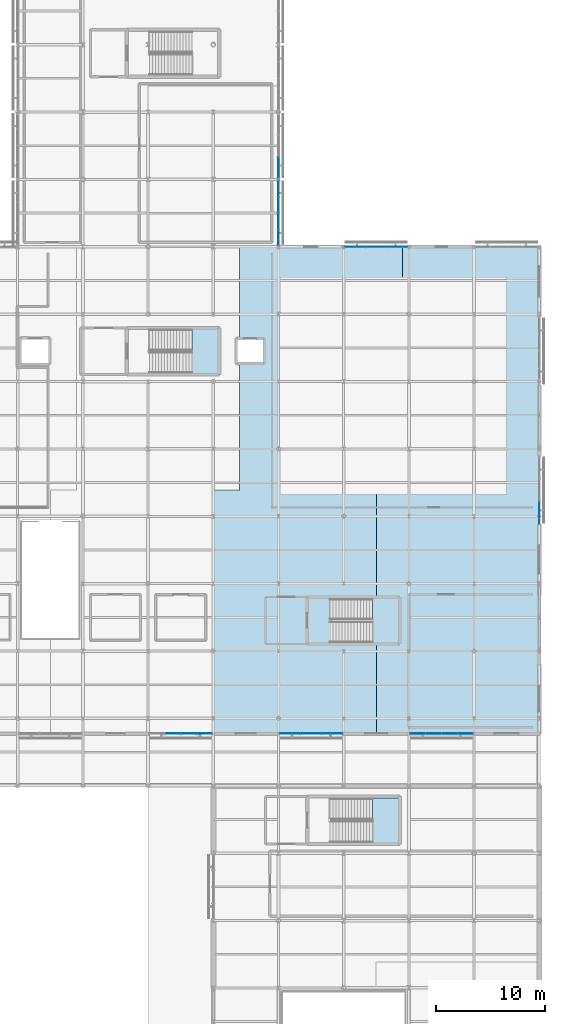
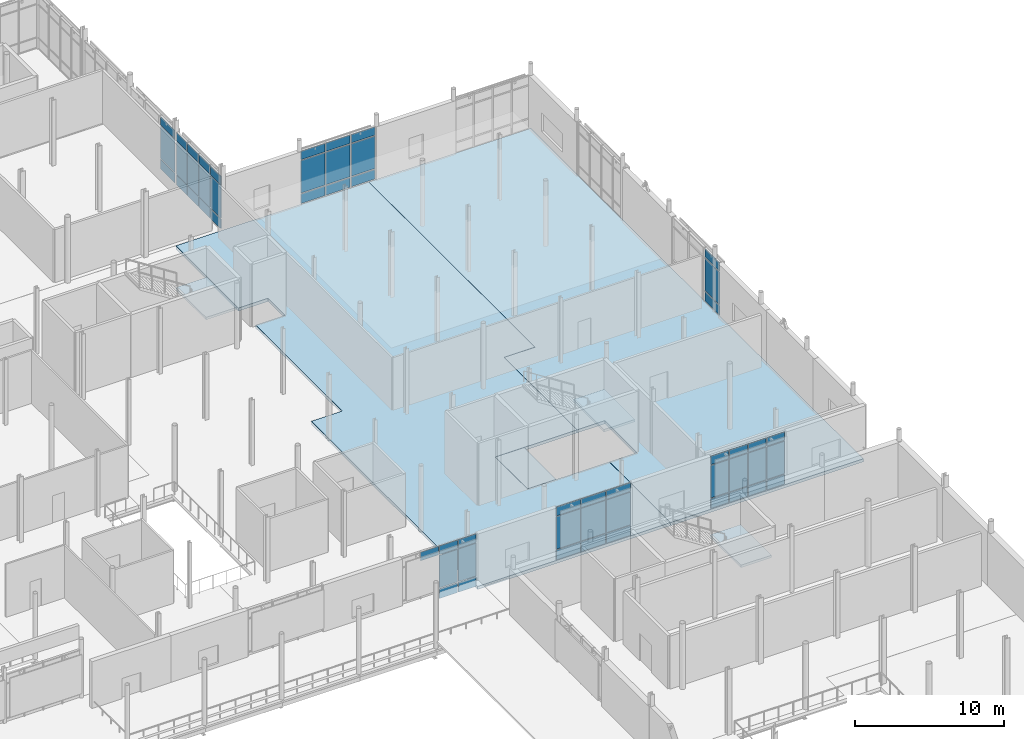
# One storey, part 63 of 105: 55 plates, 6 slabs, 10 elements without a shape of their own.
"""IFC4 building model written with IfcOpenShell, lengths in metres."""

from ifc_helpers import new_model, si_unit, direction, frame, origin, origin_2d, place, context, subcontext, project, spatial, polyline, rectangle, outline, extrude, material, layer, layer_set, type_object, element, aggregate, save


model = new_model("IFC4")

# Units and contexts
model_context = context("Model", 3, precision=1e-05, world=origin(), true_north=direction((0.0, 1.0)))
body_context = subcontext(model_context, "Body", "Model", "MODEL_VIEW")
ifc_project = project(units=[si_unit("LENGTHUNIT", "METRE"), si_unit("AREAUNIT", "SQUARE_METRE"), si_unit("VOLUMEUNIT", "CUBIC_METRE"), si_unit("PLANEANGLEUNIT", "RADIAN"), si_unit("MASSUNIT", "GRAM", prefix="KILO")], contexts=[model_context])

# Site, building, storey
site_placement = place(None, origin())
site = spatial("IfcSite", under=ifc_project, at=site_placement, CompositionType="ELEMENT")
building_placement = place(site_placement, origin())
building = spatial("IfcBuilding", under=site, at=building_placement, Name="Mirzam Square Science Centre", CompositionType="ELEMENT")
storey_placement = place(building_placement, frame((0.0, 0.0, 5.39990234375)))
storey = spatial("IfcBuildingStorey", under=building, at=storey_placement, Name="L01", CompositionType="ELEMENT", Elevation=5.39990234375)

# Curtain wall, plates
ifc_material_1 = material(Name="Anodised Aluminium and Low-E Solar Glass", Category="aluminium")
ifc_layer_1 = layer(ifc_material_1, 0.239990234375)
ifc_layer_set_1 = layer_set([ifc_layer_1], Name="CW-EAST-B")
curtain_wall_type_1 = type_object("IfcCurtainWallType", Name="CW-EAST-B", PredefinedType="USERDEFINED", material=ifc_layer_set_1)
curtain_wall_1_placement = place(storey_placement, origin())
curtain_wall_1 = element("IfcCurtainWall", 1, at=curtain_wall_1_placement, inside=storey, type_object=curtain_wall_type_1, Name="L01 unitised curtain wall 85", ObjectType="UNITISED CURTAIN WALL", PredefinedType="USERDEFINED")
ifc_material_2 = material(Name="Double-Silver Low-E Insulated Solar Glass", Category="glass")
ifc_layer_2 = layer(ifc_material_2, 0.028076171875)
ifc_layer_set_2 = layer_set([ifc_layer_2], Name="CWP-GLZ-28")
plate_type_1 = type_object("IfcPlateType", Name="CWP-GLZ-28", PredefinedType="CURTAIN_PANEL", material=ifc_layer_set_2)
plate_1_placement = place(storey_placement, frame((162.0, 62.322021484375, 0.074951171875), z_axis=(0.0, 0.0, 1.0), x_axis=(0.0, 1.0, 0.0)))
plate_1 = element("IfcPlate", 2, at=plate_1_placement, type_object=plate_type_1, Name="CW-06 panel 1.1", PredefinedType="CURTAIN_PANEL", context=body_context, shape_type="SweptSolid", body=[
    extrude(rectangle(XDim=1.984130859375, YDim=0.028076171875, at=origin_2d()), origin(), (0.0, 0.0, 1.0), 0.78759765625),
])
plate_2_placement = place(storey_placement, frame((162.0, 62.322021484375, 0.9375), z_axis=(0.0, 0.0, 1.0), x_axis=(0.0, 1.0, 0.0)))
plate_2 = element("IfcPlate", 3, at=plate_2_placement, type_object=plate_type_1, Name="CW-06 panel 1.2", PredefinedType="CURTAIN_PANEL", context=body_context, shape_type="SweptSolid", body=[
    extrude(rectangle(XDim=1.984130859375, YDim=0.028076171875, at=origin_2d()), origin(), (0.0, 0.0, 1.0), 2.6650390625),
])
plate_3_placement = place(storey_placement, frame((162.0, 62.322021484375, 3.677490234375), z_axis=(0.0, 0.0, 1.0), x_axis=(0.0, 1.0, 0.0)))
plate_3 = element("IfcPlate", 4, at=plate_3_placement, type_object=plate_type_1, Name="CW-06 panel 1.3", PredefinedType="CURTAIN_PANEL", context=body_context, shape_type="SweptSolid", body=[
    extrude(rectangle(XDim=1.984130859375, YDim=0.028076171875, at=origin_2d()), origin(), (0.0, 0.0, 1.0), 0.6875),
])
aggregate(curtain_wall_1, [plate_1, plate_2, plate_3])

curtain_wall_2_placement = place(storey_placement, origin())
curtain_wall_2 = element("IfcCurtainWall", 5, at=curtain_wall_2_placement, inside=storey, type_object=curtain_wall_type_1, Name="L01 unitised curtain wall 88", ObjectType="UNITISED CURTAIN WALL", PredefinedType="USERDEFINED")
plate_4_placement = place(storey_placement, frame((148.944580078125, 86.800048828125, 0.074951171875), z_axis=(0.0, 0.0, 1.0), x_axis=(-1.0, 0.0, 0.0)))
plate_4 = element("IfcPlate", 6, at=plate_4_placement, type_object=plate_type_1, Name="CW-06 panel 1.1", PredefinedType="CURTAIN_PANEL", context=body_context, shape_type="SweptSolid", body=[
    extrude(rectangle(XDim=1.850830078125, YDim=0.028076171875, at=origin_2d()), origin(), (0.0, 0.0, 1.0), 0.78759765625),
])
plate_5_placement = place(storey_placement, frame((148.944580078125, 86.800048828125, 0.9375), z_axis=(0.0, 0.0, 1.0), x_axis=(-1.0, 0.0, 0.0)))
plate_5 = element("IfcPlate", 7, at=plate_5_placement, type_object=plate_type_1, Name="CW-06 panel 1.2", PredefinedType="CURTAIN_PANEL", context=body_context, shape_type="SweptSolid", body=[
    extrude(rectangle(XDim=1.850830078125, YDim=0.028076171875, at=origin_2d()), origin(), (0.0, 0.0, 1.0), 2.6650390625),
])
plate_6_placement = place(storey_placement, frame((148.944580078125, 86.800048828125, 3.677490234375), z_axis=(0.0, 0.0, 1.0), x_axis=(-1.0, 0.0, 0.0)))
plate_6 = element("IfcPlate", 8, at=plate_6_placement, type_object=plate_type_1, Name="CW-06 panel 1.3", PredefinedType="CURTAIN_PANEL", context=body_context, shape_type="SweptSolid", body=[
    extrude(rectangle(XDim=1.850830078125, YDim=0.028076171875, at=origin_2d()), origin(), (0.0, 0.0, 1.0), 0.6875),
])
plate_7_placement = place(storey_placement, frame((147.0, 86.800048828125, 0.074951171875), z_axis=(0.0, 0.0, 1.0), x_axis=(-1.0, 0.0, 0.0)))
plate_7 = element("IfcPlate", 9, at=plate_7_placement, type_object=plate_type_1, Name="CW-06 panel 2.1", PredefinedType="CURTAIN_PANEL", context=body_context, shape_type="SweptSolid", body=[
    extrude(rectangle(XDim=1.888427734375, YDim=0.028076171875, at=origin_2d()), origin(), (0.0, 0.0, 1.0), 0.78759765625),
])
plate_8_placement = place(storey_placement, frame((147.0, 86.800048828125, 0.9375), z_axis=(0.0, 0.0, 1.0), x_axis=(-1.0, 0.0, 0.0)))
plate_8 = element("IfcPlate", 10, at=plate_8_placement, type_object=plate_type_1, Name="CW-06 panel 2.2", PredefinedType="CURTAIN_PANEL", context=body_context, shape_type="SweptSolid", body=[
    extrude(rectangle(XDim=1.888427734375, YDim=0.028076171875, at=origin_2d()), origin(), (0.0, 0.0, 1.0), 2.6650390625),
])
plate_9_placement = place(storey_placement, frame((147.0, 86.800048828125, 3.677490234375), z_axis=(0.0, 0.0, 1.0), x_axis=(-1.0, 0.0, 0.0)))
plate_9 = element("IfcPlate", 11, at=plate_9_placement, type_object=plate_type_1, Name="CW-06 panel 2.3", PredefinedType="CURTAIN_PANEL", context=body_context, shape_type="SweptSolid", body=[
    extrude(rectangle(XDim=1.888427734375, YDim=0.028076171875, at=origin_2d()), origin(), (0.0, 0.0, 1.0), 0.6875),
])
plate_10_placement = place(storey_placement, frame((145.055419921875, 86.800048828125, 0.074951171875), z_axis=(0.0, 0.0, 1.0), x_axis=(-1.0, 0.0, 0.0)))
plate_10 = element("IfcPlate", 12, at=plate_10_placement, type_object=plate_type_1, Name="CW-06 panel 3.1", PredefinedType="CURTAIN_PANEL", context=body_context, shape_type="SweptSolid", body=[
    extrude(rectangle(XDim=1.850830078125, YDim=0.028076171875, at=origin_2d()), origin(), (0.0, 0.0, 1.0), 0.78759765625),
])
plate_11_placement = place(storey_placement, frame((145.055419921875, 86.800048828125, 0.9375), z_axis=(0.0, 0.0, 1.0), x_axis=(-1.0, 0.0, 0.0)))
plate_11 = element("IfcPlate", 13, at=plate_11_placement, type_object=plate_type_1, Name="CW-06 panel 3.2", PredefinedType="CURTAIN_PANEL", context=body_context, shape_type="SweptSolid", body=[
    extrude(rectangle(XDim=1.850830078125, YDim=0.028076171875, at=origin_2d()), origin(), (0.0, 0.0, 1.0), 2.6650390625),
])
plate_12_placement = place(storey_placement, frame((145.055419921875, 86.800048828125, 3.677490234375), z_axis=(0.0, 0.0, 1.0), x_axis=(-1.0, 0.0, 0.0)))
plate_12 = element("IfcPlate", 14, at=plate_12_placement, type_object=plate_type_1, Name="CW-06 panel 3.3", PredefinedType="CURTAIN_PANEL", context=body_context, shape_type="SweptSolid", body=[
    extrude(rectangle(XDim=1.850830078125, YDim=0.028076171875, at=origin_2d()), origin(), (0.0, 0.0, 1.0), 0.6875),
])
aggregate(curtain_wall_2, [plate_4, plate_5, plate_6, plate_7, plate_8, plate_9, plate_10, plate_11, plate_12])

curtain_wall_3_placement = place(storey_placement, origin())
curtain_wall_3 = element("IfcCurtainWall", 15, at=curtain_wall_3_placement, inside=storey, type_object=curtain_wall_type_1, Name="L01 unitised curtain wall 95", ObjectType="UNITISED CURTAIN WALL", PredefinedType="USERDEFINED")
plate_13_placement = place(storey_placement, frame((138.0, 94.0888671875, 0.074951171875), z_axis=(0.0, 0.0, 1.0), x_axis=(0.0, 1.0, 0.0)))
plate_13 = element("IfcPlate", 16, at=plate_13_placement, type_object=plate_type_1, Name="CW-06 panel 1.1", PredefinedType="CURTAIN_PANEL", context=body_context, shape_type="SweptSolid", body=[
    extrude(rectangle(XDim=1.91748046875, YDim=0.028076171875, at=origin_2d()), origin(), (0.0, 0.0, 1.0), 0.78759765625),
])
plate_14_placement = place(storey_placement, frame((138.0, 94.0888671875, 0.9375), z_axis=(0.0, 0.0, 1.0), x_axis=(0.0, 1.0, 0.0)))
plate_14 = element("IfcPlate", 17, at=plate_14_placement, type_object=plate_type_1, Name="CW-06 panel 1.2", PredefinedType="CURTAIN_PANEL", context=body_context, shape_type="SweptSolid", body=[
    extrude(rectangle(XDim=1.91748046875, YDim=0.028076171875, at=origin_2d()), origin(), (0.0, 0.0, 1.0), 2.6650390625),
])
plate_15_placement = place(storey_placement, frame((138.0, 94.0888671875, 3.677490234375), z_axis=(0.0, 0.0, 1.0), x_axis=(0.0, 1.0, 0.0)))
plate_15 = element("IfcPlate", 18, at=plate_15_placement, type_object=plate_type_1, Name="CW-06 panel 1.3", PredefinedType="CURTAIN_PANEL", context=body_context, shape_type="SweptSolid", body=[
    extrude(rectangle(XDim=1.91748046875, YDim=0.028076171875, at=origin_2d()), origin(), (0.0, 0.0, 1.0), 0.6875),
])
aggregate(curtain_wall_3, [plate_13, plate_14, plate_15])

ifc_layer_3 = layer(ifc_material_1, 0.159912109375)
ifc_layer_set_3 = layer_set([ifc_layer_3], Name="CW-COURT-B")
curtain_wall_type_2 = type_object("IfcCurtainWallType", Name="CW-COURT-B", PredefinedType="USERDEFINED", material=ifc_layer_set_3)
curtain_wall_4_placement = place(storey_placement, origin())
curtain_wall_4 = element("IfcCurtainWall", 19, at=curtain_wall_4_placement, inside=storey, type_object=curtain_wall_type_2, Name="L01 unitised curtain wall 84", ObjectType="UNITISED CURTAIN WALL", PredefinedType="USERDEFINED")
ifc_material_3 = material(Name="Triple-Glazed Acoustic Low-E Solar Glass", Category="glass")
ifc_layer_4 = layer(ifc_material_3, 0.031982421875)
ifc_layer_set_4 = layer_set([ifc_layer_4], Name="CWP-GLZ-32")
plate_type_2 = type_object("IfcPlateType", Name="CWP-GLZ-32", PredefinedType="CURTAIN_PANEL", material=ifc_layer_set_4)
plate_16_placement = place(storey_placement, frame((150.81005859375, 42.0, 0.074951171875), z_axis=(0.0, 0.0, 1.0), x_axis=(1.0, 0.0, 0.0)))
plate_16 = element("IfcPlate", 20, at=plate_16_placement, type_object=plate_type_2, Name="CW-04 panel 1.1", PredefinedType="CURTAIN_PANEL", context=body_context, shape_type="SweptSolid", body=[
    extrude(rectangle(XDim=1.360107421875, YDim=0.031982421875, at=origin_2d()), origin(), (0.0, 0.0, 1.0), 0.78759765625),
])
plate_17_placement = place(storey_placement, frame((150.81005859375, 42.0, 0.9375), z_axis=(0.0, 0.0, 1.0), x_axis=(1.0, 0.0, 0.0)))
plate_17 = element("IfcPlate", 21, at=plate_17_placement, type_object=plate_type_2, Name="CW-04 panel 1.2", PredefinedType="CURTAIN_PANEL", context=body_context, shape_type="SweptSolid", body=[
    extrude(rectangle(XDim=1.360107421875, YDim=0.031982421875, at=origin_2d()), origin(), (0.0, 0.0, 1.0), 2.6650390625),
])
plate_18_placement = place(storey_placement, frame((150.81005859375, 42.0, 3.677490234375), z_axis=(0.0, 0.0, 1.0), x_axis=(1.0, 0.0, 0.0)))
plate_18 = element("IfcPlate", 22, at=plate_18_placement, type_object=plate_type_2, Name="CW-04 panel 1.3", PredefinedType="CURTAIN_PANEL", context=body_context, shape_type="SweptSolid", body=[
    extrude(rectangle(XDim=1.360107421875, YDim=0.031982421875, at=origin_2d()), origin(), (0.0, 0.0, 1.0), 0.6875),
])
plate_19_placement = place(storey_placement, frame((152.263671875, 42.0, 0.074951171875), z_axis=(0.0, 0.0, 1.0), x_axis=(1.0, 0.0, 0.0)))
plate_19 = element("IfcPlate", 23, at=plate_19_placement, type_object=plate_type_2, Name="CW-04 panel 2.1", PredefinedType="CURTAIN_PANEL", context=body_context, shape_type="SweptSolid", body=[
    extrude(rectangle(XDim=1.3974609375, YDim=0.031982421875, at=origin_2d()), origin(), (0.0, 0.0, 1.0), 0.78759765625),
])
plate_20_placement = place(storey_placement, frame((152.263671875, 42.0, 0.9375), z_axis=(0.0, 0.0, 1.0), x_axis=(1.0, 0.0, 0.0)))
plate_20 = element("IfcPlate", 24, at=plate_20_placement, type_object=plate_type_2, Name="CW-04 panel 2.2", PredefinedType="CURTAIN_PANEL", context=body_context, shape_type="SweptSolid", body=[
    extrude(rectangle(XDim=1.3974609375, YDim=0.031982421875, at=origin_2d()), origin(), (0.0, 0.0, 1.0), 2.6650390625),
])
plate_21_placement = place(storey_placement, frame((152.263671875, 42.0, 3.677490234375), z_axis=(0.0, 0.0, 1.0), x_axis=(1.0, 0.0, 0.0)))
plate_21 = element("IfcPlate", 25, at=plate_21_placement, type_object=plate_type_2, Name="CW-04 panel 2.3", PredefinedType="CURTAIN_PANEL", context=body_context, shape_type="SweptSolid", body=[
    extrude(rectangle(XDim=1.3974609375, YDim=0.031982421875, at=origin_2d()), origin(), (0.0, 0.0, 1.0), 0.6875),
])
plate_22_placement = place(storey_placement, frame((153.736328125, 42.0, 0.074951171875), z_axis=(0.0, 0.0, 1.0), x_axis=(1.0, 0.0, 0.0)))
plate_22 = element("IfcPlate", 26, at=plate_22_placement, type_object=plate_type_2, Name="CW-04 panel 3.1", PredefinedType="CURTAIN_PANEL", context=body_context, shape_type="SweptSolid", body=[
    extrude(rectangle(XDim=1.3974609375, YDim=0.031982421875, at=origin_2d()), origin(), (0.0, 0.0, 1.0), 0.78759765625),
])
plate_23_placement = place(storey_placement, frame((153.736328125, 42.0, 0.9375), z_axis=(0.0, 0.0, 1.0), x_axis=(1.0, 0.0, 0.0)))
plate_23 = element("IfcPlate", 27, at=plate_23_placement, type_object=plate_type_2, Name="CW-04 panel 3.2", PredefinedType="CURTAIN_PANEL", context=body_context, shape_type="SweptSolid", body=[
    extrude(rectangle(XDim=1.3974609375, YDim=0.031982421875, at=origin_2d()), origin(), (0.0, 0.0, 1.0), 2.6650390625),
])
plate_24_placement = place(storey_placement, frame((153.736328125, 42.0, 3.677490234375), z_axis=(0.0, 0.0, 1.0), x_axis=(1.0, 0.0, 0.0)))
plate_24 = element("IfcPlate", 28, at=plate_24_placement, type_object=plate_type_2, Name="CW-04 panel 3.3", PredefinedType="CURTAIN_PANEL", context=body_context, shape_type="SweptSolid", body=[
    extrude(rectangle(XDim=1.3974609375, YDim=0.031982421875, at=origin_2d()), origin(), (0.0, 0.0, 1.0), 0.6875),
])
plate_25_placement = place(storey_placement, frame((155.18994140625, 42.0, 0.074951171875), z_axis=(0.0, 0.0, 1.0), x_axis=(1.0, 0.0, 0.0)))
plate_25 = element("IfcPlate", 29, at=plate_25_placement, type_object=plate_type_2, Name="CW-04 panel 4.1", PredefinedType="CURTAIN_PANEL", context=body_context, shape_type="SweptSolid", body=[
    extrude(rectangle(XDim=1.360107421875, YDim=0.031982421875, at=origin_2d()), origin(), (0.0, 0.0, 1.0), 0.78759765625),
])
plate_26_placement = place(storey_placement, frame((155.18994140625, 42.0, 0.9375), z_axis=(0.0, 0.0, 1.0), x_axis=(1.0, 0.0, 0.0)))
plate_26 = element("IfcPlate", 30, at=plate_26_placement, type_object=plate_type_2, Name="CW-04 panel 4.2", PredefinedType="CURTAIN_PANEL", context=body_context, shape_type="SweptSolid", body=[
    extrude(rectangle(XDim=1.360107421875, YDim=0.031982421875, at=origin_2d()), origin(), (0.0, 0.0, 1.0), 2.6650390625),
])
plate_27_placement = place(storey_placement, frame((155.18994140625, 42.0, 3.677490234375), z_axis=(0.0, 0.0, 1.0), x_axis=(1.0, 0.0, 0.0)))
plate_27 = element("IfcPlate", 31, at=plate_27_placement, type_object=plate_type_2, Name="CW-04 panel 4.3", PredefinedType="CURTAIN_PANEL", context=body_context, shape_type="SweptSolid", body=[
    extrude(rectangle(XDim=1.360107421875, YDim=0.031982421875, at=origin_2d()), origin(), (0.0, 0.0, 1.0), 0.6875),
])
aggregate(curtain_wall_4, [plate_16, plate_17, plate_18, plate_19, plate_20, plate_21, plate_22, plate_23, plate_24, plate_25, plate_26, plate_27])

ifc_layer_5 = layer(ifc_material_1, 0.179931640625)
ifc_layer_set_5 = layer_set([ifc_layer_5], Name="CW-LINK-A")
curtain_wall_type_3 = type_object("IfcCurtainWallType", Name="CW-LINK-A", PredefinedType="USERDEFINED", material=ifc_layer_set_5)
curtain_wall_5_placement = place(storey_placement, origin())
curtain_wall_5 = element("IfcCurtainWall", 32, at=curtain_wall_5_placement, inside=storey, type_object=curtain_wall_type_3, Name="L01 unitised curtain wall 82", ObjectType="UNITISED CURTAIN WALL", PredefinedType="USERDEFINED")
ifc_material_4 = material(Name="Laminated Low-Iron Observatory Solar Glass", Category="glass")
ifc_layer_6 = layer(ifc_material_4, 0.035888671875)
ifc_layer_set_6 = layer_set([ifc_layer_6], Name="CWP-GLZ-36")
plate_type_3 = type_object("IfcPlateType", Name="CWP-GLZ-36", PredefinedType="CURTAIN_PANEL", material=ifc_layer_set_6)
plate_28_placement = place(storey_placement, frame((128.263671875, 42.0, 3.6728515625), z_axis=(0.0, 0.0, 1.0), x_axis=(1.0, 0.0, 0.0)))
plate_28 = element("IfcPlate", 33, at=plate_28_placement, type_object=plate_type_3, Name="CW-08 panel 2.3", PredefinedType="CURTAIN_PANEL", context=body_context, shape_type="SweptSolid", body=[
    extrude(rectangle(XDim=1.407470703125, YDim=0.035888671875, at=origin_2d()), origin(), (0.0, 0.0, 1.0), 0.702392578125),
])
plate_29_placement = place(storey_placement, frame((129.736328125, 42.0, 0.06494140625), z_axis=(0.0, 0.0, 1.0), x_axis=(1.0, 0.0, 0.0)))
plate_29 = element("IfcPlate", 34, at=plate_29_placement, type_object=plate_type_3, Name="CW-08 panel 3.1", PredefinedType="CURTAIN_PANEL", context=body_context, shape_type="SweptSolid", body=[
    extrude(rectangle(XDim=1.407470703125, YDim=0.035888671875, at=origin_2d()), origin(), (0.0, 0.0, 1.0), 0.802490234375),
])
plate_30_placement = place(storey_placement, frame((129.736328125, 42.0, 0.9326171875), z_axis=(0.0, 0.0, 1.0), x_axis=(1.0, 0.0, 0.0)))
plate_30 = element("IfcPlate", 35, at=plate_30_placement, type_object=plate_type_3, Name="CW-08 panel 3.2", PredefinedType="CURTAIN_PANEL", context=body_context, shape_type="SweptSolid", body=[
    extrude(rectangle(XDim=1.407470703125, YDim=0.035888671875, at=origin_2d()), origin(), (0.0, 0.0, 1.0), 2.675048828125),
])
plate_31_placement = place(storey_placement, frame((129.736328125, 42.0, 3.6728515625), z_axis=(0.0, 0.0, 1.0), x_axis=(1.0, 0.0, 0.0)))
plate_31 = element("IfcPlate", 36, at=plate_31_placement, type_object=plate_type_3, Name="CW-08 panel 3.3", PredefinedType="CURTAIN_PANEL", context=body_context, shape_type="SweptSolid", body=[
    extrude(rectangle(XDim=1.407470703125, YDim=0.035888671875, at=origin_2d()), origin(), (0.0, 0.0, 1.0), 0.702392578125),
])
plate_32_placement = place(storey_placement, frame((131.1923828125, 42.0, 0.06494140625), z_axis=(0.0, 0.0, 1.0), x_axis=(1.0, 0.0, 0.0)))
plate_32 = element("IfcPlate", 37, at=plate_32_placement, type_object=plate_type_3, Name="CW-08 panel 4.1", PredefinedType="CURTAIN_PANEL", context=body_context, shape_type="SweptSolid", body=[
    extrude(rectangle(XDim=1.375, YDim=0.035888671875, at=origin_2d()), origin(), (0.0, 0.0, 1.0), 0.802490234375),
])
plate_33_placement = place(storey_placement, frame((131.1923828125, 42.0, 0.9326171875), z_axis=(0.0, 0.0, 1.0), x_axis=(1.0, 0.0, 0.0)))
plate_33 = element("IfcPlate", 38, at=plate_33_placement, type_object=plate_type_3, Name="CW-08 panel 4.2", PredefinedType="CURTAIN_PANEL", context=body_context, shape_type="SweptSolid", body=[
    extrude(rectangle(XDim=1.375, YDim=0.035888671875, at=origin_2d()), origin(), (0.0, 0.0, 1.0), 2.675048828125),
])
plate_34_placement = place(storey_placement, frame((131.1923828125, 42.0, 3.6728515625), z_axis=(0.0, 0.0, 1.0), x_axis=(1.0, 0.0, 0.0)))
plate_34 = element("IfcPlate", 39, at=plate_34_placement, type_object=plate_type_3, Name="CW-08 panel 4.3", PredefinedType="CURTAIN_PANEL", context=body_context, shape_type="SweptSolid", body=[
    extrude(rectangle(XDim=1.375, YDim=0.035888671875, at=origin_2d()), origin(), (0.0, 0.0, 1.0), 0.702392578125),
])
aggregate(curtain_wall_5, [plate_28, plate_29, plate_30, plate_31, plate_32, plate_33, plate_34])

ifc_layer_7 = layer(ifc_material_1, 0.199951171875)
ifc_layer_set_7 = layer_set([ifc_layer_7], Name="CW-PARK-B")
curtain_wall_type_4 = type_object("IfcCurtainWallType", Name="CW-PARK-B", PredefinedType="USERDEFINED", material=ifc_layer_set_7)
curtain_wall_6_placement = place(storey_placement, origin())
curtain_wall_6 = element("IfcCurtainWall", 40, at=curtain_wall_6_placement, inside=storey, type_object=curtain_wall_type_4, Name="L01 unitised curtain wall 83", ObjectType="UNITISED CURTAIN WALL", PredefinedType="USERDEFINED")
ifc_material_5 = material(Name="Acoustic Laminated Solar Spandrel Glass", Category="glass")
ifc_layer_8 = layer(ifc_material_5, 0.0400390625)
ifc_layer_set_8 = layer_set([ifc_layer_8], Name="CWP-GLZ-40")
plate_type_4 = type_object("IfcPlateType", Name="CWP-GLZ-40", PredefinedType="CURTAIN_PANEL", material=ifc_layer_set_8)
plate_35_placement = place(storey_placement, frame((139.0517578125, 42.0, 0.06005859375), z_axis=(0.0, 0.0, 1.0), x_axis=(1.0, 0.0, 0.0)))
plate_35 = element("IfcPlate", 41, at=plate_35_placement, type_object=plate_type_4, Name="CW-02 panel 1.1", PredefinedType="CURTAIN_PANEL", context=body_context, shape_type="SweptSolid", body=[
    extrude(rectangle(XDim=1.873291015625, YDim=0.0400390625, at=origin_2d()), origin(), (0.0, 0.0, 1.0), 0.81005859375),
])
plate_36_placement = place(storey_placement, frame((139.0517578125, 42.0, 0.93017578125), z_axis=(0.0, 0.0, 1.0), x_axis=(1.0, 0.0, 0.0)))
plate_36 = element("IfcPlate", 42, at=plate_36_placement, type_object=plate_type_4, Name="CW-02 panel 1.2", PredefinedType="CURTAIN_PANEL", context=body_context, shape_type="SweptSolid", body=[
    extrude(rectangle(XDim=1.873291015625, YDim=0.0400390625, at=origin_2d()), origin(), (0.0, 0.0, 1.0), 2.679931640625),
])
plate_37_placement = place(storey_placement, frame((139.0517578125, 42.0, 3.670166015625), z_axis=(0.0, 0.0, 1.0), x_axis=(1.0, 0.0, 0.0)))
plate_37 = element("IfcPlate", 43, at=plate_37_placement, type_object=plate_type_4, Name="CW-02 panel 1.3", PredefinedType="CURTAIN_PANEL", context=body_context, shape_type="SweptSolid", body=[
    extrude(rectangle(XDim=1.873291015625, YDim=0.0400390625, at=origin_2d()), origin(), (0.0, 0.0, 1.0), 0.7099609375),
])
plate_38_placement = place(storey_placement, frame((141.0, 42.0, 0.06005859375), z_axis=(0.0, 0.0, 1.0), x_axis=(1.0, 0.0, 0.0)))
plate_38 = element("IfcPlate", 44, at=plate_38_placement, type_object=plate_type_4, Name="CW-02 panel 2.1", PredefinedType="CURTAIN_PANEL", context=body_context, shape_type="SweptSolid", body=[
    extrude(rectangle(XDim=1.9033203125, YDim=0.0400390625, at=origin_2d()), origin(), (0.0, 0.0, 1.0), 0.81005859375),
])
plate_39_placement = place(storey_placement, frame((141.0, 42.0, 0.93017578125), z_axis=(0.0, 0.0, 1.0), x_axis=(1.0, 0.0, 0.0)))
plate_39 = element("IfcPlate", 45, at=plate_39_placement, type_object=plate_type_4, Name="CW-02 panel 2.2", PredefinedType="CURTAIN_PANEL", context=body_context, shape_type="SweptSolid", body=[
    extrude(rectangle(XDim=1.9033203125, YDim=0.0400390625, at=origin_2d()), origin(), (0.0, 0.0, 1.0), 2.679931640625),
])
plate_40_placement = place(storey_placement, frame((141.0, 42.0, 3.670166015625), z_axis=(0.0, 0.0, 1.0), x_axis=(1.0, 0.0, 0.0)))
plate_40 = element("IfcPlate", 46, at=plate_40_placement, type_object=plate_type_4, Name="CW-02 panel 2.3", PredefinedType="CURTAIN_PANEL", context=body_context, shape_type="SweptSolid", body=[
    extrude(rectangle(XDim=1.9033203125, YDim=0.0400390625, at=origin_2d()), origin(), (0.0, 0.0, 1.0), 0.7099609375),
])
plate_41_placement = place(storey_placement, frame((142.9482421875, 42.0, 0.06005859375), z_axis=(0.0, 0.0, 1.0), x_axis=(1.0, 0.0, 0.0)))
plate_41 = element("IfcPlate", 47, at=plate_41_placement, type_object=plate_type_4, Name="CW-02 panel 3.1", PredefinedType="CURTAIN_PANEL", context=body_context, shape_type="SweptSolid", body=[
    extrude(rectangle(XDim=1.873291015625, YDim=0.0400390625, at=origin_2d()), origin(), (0.0, 0.0, 1.0), 0.81005859375),
])
plate_42_placement = place(storey_placement, frame((142.9482421875, 42.0, 0.93017578125), z_axis=(0.0, 0.0, 1.0), x_axis=(1.0, 0.0, 0.0)))
plate_42 = element("IfcPlate", 48, at=plate_42_placement, type_object=plate_type_4, Name="CW-02 panel 3.2", PredefinedType="CURTAIN_PANEL", context=body_context, shape_type="SweptSolid", body=[
    extrude(rectangle(XDim=1.873291015625, YDim=0.0400390625, at=origin_2d()), origin(), (0.0, 0.0, 1.0), 2.679931640625),
])
plate_43_placement = place(storey_placement, frame((142.9482421875, 42.0, 3.670166015625), z_axis=(0.0, 0.0, 1.0), x_axis=(1.0, 0.0, 0.0)))
plate_43 = element("IfcPlate", 49, at=plate_43_placement, type_object=plate_type_4, Name="CW-02 panel 3.3", PredefinedType="CURTAIN_PANEL", context=body_context, shape_type="SweptSolid", body=[
    extrude(rectangle(XDim=1.873291015625, YDim=0.0400390625, at=origin_2d()), origin(), (0.0, 0.0, 1.0), 0.7099609375),
])
aggregate(curtain_wall_6, [plate_35, plate_36, plate_37, plate_38, plate_39, plate_40, plate_41, plate_42, plate_43])

ifc_layer_9 = layer(ifc_material_1, 0.199951171875)
ifc_layer_set_9 = layer_set([ifc_layer_9], Name="CW-EAST-A")
curtain_wall_type_5 = type_object("IfcCurtainWallType", Name="CW-EAST-A", PredefinedType="USERDEFINED", material=ifc_layer_set_9)
curtain_wall_7_placement = place(storey_placement, origin())
curtain_wall_7 = element("IfcCurtainWall", 50, at=curtain_wall_7_placement, inside=storey, type_object=curtain_wall_type_5, Name="L01 unitised curtain wall 93", ObjectType="UNITISED CURTAIN WALL", PredefinedType="USERDEFINED")
plate_44_placement = place(storey_placement, frame((138.0, 87.632568359375, 0.06494140625), z_axis=(0.0, 0.0, 1.0), x_axis=(0.0, 1.0, 0.0)))
plate_44 = element("IfcPlate", 51, at=plate_44_placement, type_object=plate_type_4, Name="CW-05 panel 1.1", PredefinedType="CURTAIN_PANEL", context=body_context, shape_type="SweptSolid", body=[
    extrude(rectangle(XDim=1.425048828125, YDim=0.0400390625, at=origin_2d()), origin(), (0.0, 0.0, 1.0), 0.802490234375),
])
plate_45_placement = place(storey_placement, frame((138.0, 87.632568359375, 0.9326171875), z_axis=(0.0, 0.0, 1.0), x_axis=(0.0, 1.0, 0.0)))
plate_45 = element("IfcPlate", 52, at=plate_45_placement, type_object=plate_type_4, Name="CW-05 panel 1.2", PredefinedType="CURTAIN_PANEL", context=body_context, shape_type="SweptSolid", body=[
    extrude(rectangle(XDim=1.425048828125, YDim=0.0400390625, at=origin_2d()), origin(), (0.0, 0.0, 1.0), 2.675048828125),
])
plate_46_placement = place(storey_placement, frame((138.0, 87.632568359375, 3.6728515625), z_axis=(0.0, 0.0, 1.0), x_axis=(0.0, 1.0, 0.0)))
plate_46 = element("IfcPlate", 53, at=plate_46_placement, type_object=plate_type_4, Name="CW-05 panel 1.3", PredefinedType="CURTAIN_PANEL", context=body_context, shape_type="SweptSolid", body=[
    extrude(rectangle(XDim=1.425048828125, YDim=0.0400390625, at=origin_2d()), origin(), (0.0, 0.0, 1.0), 0.702392578125),
])
plate_47_placement = place(storey_placement, frame((138.0, 89.138671875, 0.06494140625), z_axis=(0.0, 0.0, 1.0), x_axis=(0.0, 1.0, 0.0)))
plate_47 = element("IfcPlate", 54, at=plate_47_placement, type_object=plate_type_4, Name="CW-05 panel 2.1", PredefinedType="CURTAIN_PANEL", context=body_context, shape_type="SweptSolid", body=[
    extrude(rectangle(XDim=1.45751953125, YDim=0.0400390625, at=origin_2d()), origin(), (0.0, 0.0, 1.0), 0.802490234375),
])
plate_48_placement = place(storey_placement, frame((138.0, 89.138671875, 0.9326171875), z_axis=(0.0, 0.0, 1.0), x_axis=(0.0, 1.0, 0.0)))
plate_48 = element("IfcPlate", 55, at=plate_48_placement, type_object=plate_type_4, Name="CW-05 panel 2.2", PredefinedType="CURTAIN_PANEL", context=body_context, shape_type="SweptSolid", body=[
    extrude(rectangle(XDim=1.45751953125, YDim=0.0400390625, at=origin_2d()), origin(), (0.0, 0.0, 1.0), 2.675048828125),
])
plate_49_placement = place(storey_placement, frame((138.0, 89.138671875, 3.6728515625), z_axis=(0.0, 0.0, 1.0), x_axis=(0.0, 1.0, 0.0)))
plate_49 = element("IfcPlate", 56, at=plate_49_placement, type_object=plate_type_4, Name="CW-05 panel 2.3", PredefinedType="CURTAIN_PANEL", context=body_context, shape_type="SweptSolid", body=[
    extrude(rectangle(XDim=1.45751953125, YDim=0.0400390625, at=origin_2d()), origin(), (0.0, 0.0, 1.0), 0.702392578125),
])
plate_50_placement = place(storey_placement, frame((138.0, 90.6611328125, 0.06494140625), z_axis=(0.0, 0.0, 1.0), x_axis=(0.0, 1.0, 0.0)))
plate_50 = element("IfcPlate", 57, at=plate_50_placement, type_object=plate_type_4, Name="CW-05 panel 3.1", PredefinedType="CURTAIN_PANEL", context=body_context, shape_type="SweptSolid", body=[
    extrude(rectangle(XDim=1.45751953125, YDim=0.0400390625, at=origin_2d()), origin(), (0.0, 0.0, 1.0), 0.802490234375),
])
plate_51_placement = place(storey_placement, frame((138.0, 90.6611328125, 0.9326171875), z_axis=(0.0, 0.0, 1.0), x_axis=(0.0, 1.0, 0.0)))
plate_51 = element("IfcPlate", 58, at=plate_51_placement, type_object=plate_type_4, Name="CW-05 panel 3.2", PredefinedType="CURTAIN_PANEL", context=body_context, shape_type="SweptSolid", body=[
    extrude(rectangle(XDim=1.45751953125, YDim=0.0400390625, at=origin_2d()), origin(), (0.0, 0.0, 1.0), 2.675048828125),
])
plate_52_placement = place(storey_placement, frame((138.0, 90.6611328125, 3.6728515625), z_axis=(0.0, 0.0, 1.0), x_axis=(0.0, 1.0, 0.0)))
plate_52 = element("IfcPlate", 59, at=plate_52_placement, type_object=plate_type_4, Name="CW-05 panel 3.3", PredefinedType="CURTAIN_PANEL", context=body_context, shape_type="SweptSolid", body=[
    extrude(rectangle(XDim=1.45751953125, YDim=0.0400390625, at=origin_2d()), origin(), (0.0, 0.0, 1.0), 0.702392578125),
])
plate_53_placement = place(storey_placement, frame((138.0, 92.16748046875, 0.06494140625), z_axis=(0.0, 0.0, 1.0), x_axis=(0.0, 1.0, 0.0)))
plate_53 = element("IfcPlate", 60, at=plate_53_placement, type_object=plate_type_4, Name="CW-05 panel 4.1", PredefinedType="CURTAIN_PANEL", context=body_context, shape_type="SweptSolid", body=[
    extrude(rectangle(XDim=1.425048828125, YDim=0.0400390625, at=origin_2d()), origin(), (0.0, 0.0, 1.0), 0.802490234375),
])
plate_54_placement = place(storey_placement, frame((138.0, 92.16748046875, 0.9326171875), z_axis=(0.0, 0.0, 1.0), x_axis=(0.0, 1.0, 0.0)))
plate_54 = element("IfcPlate", 61, at=plate_54_placement, type_object=plate_type_4, Name="CW-05 panel 4.2", PredefinedType="CURTAIN_PANEL", context=body_context, shape_type="SweptSolid", body=[
    extrude(rectangle(XDim=1.425048828125, YDim=0.0400390625, at=origin_2d()), origin(), (0.0, 0.0, 1.0), 2.675048828125),
])
plate_55_placement = place(storey_placement, frame((138.0, 92.16748046875, 3.6728515625), z_axis=(0.0, 0.0, 1.0), x_axis=(0.0, 1.0, 0.0)))
plate_55 = element("IfcPlate", 62, at=plate_55_placement, type_object=plate_type_4, Name="CW-05 panel 4.3", PredefinedType="CURTAIN_PANEL", context=body_context, shape_type="SweptSolid", body=[
    extrude(rectangle(XDim=1.425048828125, YDim=0.0400390625, at=origin_2d()), origin(), (0.0, 0.0, 1.0), 0.702392578125),
])
aggregate(curtain_wall_7, [plate_44, plate_45, plate_46, plate_47, plate_48, plate_49, plate_50, plate_51, plate_52, plate_53, plate_54, plate_55])

# Slabs
ifc_material_6 = material(Name="Concrete C40/50", Category="concrete")
ifc_layer_10 = layer(ifc_material_6, 0.25)
ifc_layer_set_10 = layer_set([ifc_layer_10], Name="SL-LAB-250")
slab_type_1 = type_object("IfcSlabType", Name="SL-LAB-250", PredefinedType="FLOOR", material=ifc_layer_set_10)
slab_1_placement = place(storey_placement, frame((0.0, 0.0, -0.25)))
element("IfcSlab", 63, at=slab_1_placement, inside=storey, type_object=slab_type_1, Name="L01 east 3 slab", PredefinedType="FLOOR", context=body_context, shape_type="SweptSolid", body=[
    extrude(outline(polyline([(132.0048828125, 42.0), (132.0048828125, 64.39501953125), (134.405029296875, 64.39501953125), (134.405029296875, 76.050048828125), (136.699951171875, 76.050048828125), (136.699951171875, 78.35009765625), (134.405029296875, 78.35009765625), (134.405029296875, 86.800048828125), (149.39990234375, 86.800048828125), (149.39990234375, 64.39990234375), (147.0, 64.39990234375), (147.0, 54.570068359375), (140.639892578125, 54.570068359375), (140.639892578125, 50.239990234375), (147.0, 50.239990234375), (147.0, 42.0), (132.0048828125, 42.0)])), origin(), (0.0, 0.0, 1.0), 0.25),
])
slab_2_placement = place(storey_placement, frame((0.0, 0.0, -0.25)))
element("IfcSlab", 64, at=slab_2_placement, inside=storey, type_object=slab_type_1, Name="L01 east 4 slab", PredefinedType="FLOOR", context=body_context, shape_type="SweptSolid", body=[
    extrude(outline(polyline([(162.0, 86.800048828125), (162.0, 42.0), (147.0048828125, 42.0), (147.0048828125, 50.239990234375), (149.159912109375, 50.239990234375), (149.159912109375, 54.570068359375), (147.0048828125, 54.570068359375), (147.0048828125, 64.39501953125), (149.405029296875, 64.39501953125), (149.405029296875, 86.800048828125), (162.0, 86.800048828125)])), origin(), (0.0, 0.0, 1.0), 0.25),
])

# Stair, slab
stair_type_1 = type_object("IfcStairType", Name="ST-CORE-4-540", PredefinedType="HALF_TURN_STAIR", material=ifc_material_6)
stair_1_placement = place(storey_placement, origin())
stair_1 = element("IfcStair", 65, at=stair_1_placement, inside=storey, type_object=stair_type_1, Name="L01 ST-04", PredefinedType="HALF_TURN_STAIR")
ifc_layer_11 = layer(ifc_material_6, 0.199951171875)
ifc_layer_set_11 = layer_set([ifc_layer_11], Name="SL-LANDING-200")
slab_type_2 = type_object("IfcSlabType", Name="SL-LANDING-200", PredefinedType="LANDING", material=ifc_layer_set_11)
slab_3_placement = place(storey_placement, frame((0.0, 0.0, 2.5)))
slab_3 = element("IfcSlab", 66, at=slab_3_placement, type_object=slab_type_2, Name="ST-04 landing 1", PredefinedType="LANDING", context=body_context, shape_type="SweptSolid", body=[
    extrude(outline(polyline([(130.030029296875, 75.14990234375), (132.449951171875, 75.14990234375), (132.449951171875, 79.219970703125), (130.030029296875, 79.219970703125), (130.030029296875, 75.14990234375)])), origin(), (0.0, 0.0, 1.0), 0.2001953125),
])
aggregate(stair_1, [slab_3])

stair_type_2 = type_object("IfcStairType", Name="ST-CORE-5-540", PredefinedType="HALF_TURN_STAIR", material=ifc_material_6)
stair_2_placement = place(storey_placement, origin())
stair_2 = element("IfcStair", 67, at=stair_2_placement, inside=storey, type_object=stair_type_2, Name="L01 ST-05", PredefinedType="HALF_TURN_STAIR")
slab_4_placement = place(storey_placement, frame((0.0, 0.0, 2.5)))
slab_4 = element("IfcSlab", 68, at=slab_4_placement, type_object=slab_type_2, Name="ST-05 landing 1", PredefinedType="LANDING", context=body_context, shape_type="SweptSolid", body=[
    extrude(outline(polyline([(146.64990234375, 50.35009765625), (149.050048828125, 50.35009765625), (149.050048828125, 54.4599609375), (146.64990234375, 54.4599609375), (146.64990234375, 50.35009765625)])), origin(), (0.0, 0.0, 1.0), 0.2001953125),
])
aggregate(stair_2, [slab_4])

# Slab
slab_5_placement = place(storey_placement, frame((0.0, 0.0, -0.199951171875)))
element("IfcSlab", 69, at=slab_5_placement, inside=storey, type_object=slab_type_2, Name="L01 CORE-5 floor landing", PredefinedType="LANDING", context=body_context, shape_type="SweptSolid", body=[
    extrude(outline(polyline([(142.8798828125, 50.2451171875), (140.64501953125, 50.2451171875), (140.64501953125, 54.56494140625), (142.8798828125, 54.56494140625), (142.8798828125, 50.2451171875)])), origin(), (0.0, 0.0, 1.0), 0.199951171875),
])

# Stair, slab
stair_type_3 = type_object("IfcStairType", Name="ST-CORE-6-540", PredefinedType="HALF_TURN_STAIR", material=ifc_material_6)
stair_3_placement = place(storey_placement, origin())
stair_3 = element("IfcStair", 70, at=stair_3_placement, inside=storey, type_object=stair_type_3, Name="L01 ST-06", PredefinedType="HALF_TURN_STAIR")
slab_6_placement = place(storey_placement, frame((0.0, 0.0, 2.5)))
slab_6 = element("IfcSlab", 71, at=slab_6_placement, type_object=slab_type_2, Name="ST-06 landing 1", PredefinedType="LANDING", context=body_context, shape_type="SweptSolid", body=[
    extrude(outline(polyline([(146.669921875, 31.949951171875), (149.050048828125, 31.949951171875), (149.050048828125, 36.10009765625), (146.669921875, 36.10009765625), (146.669921875, 31.949951171875)])), origin(), (0.0, 0.0, 1.0), 0.2001953125),
])
aggregate(stair_3, [slab_6])

save(model, "model.ifc")
